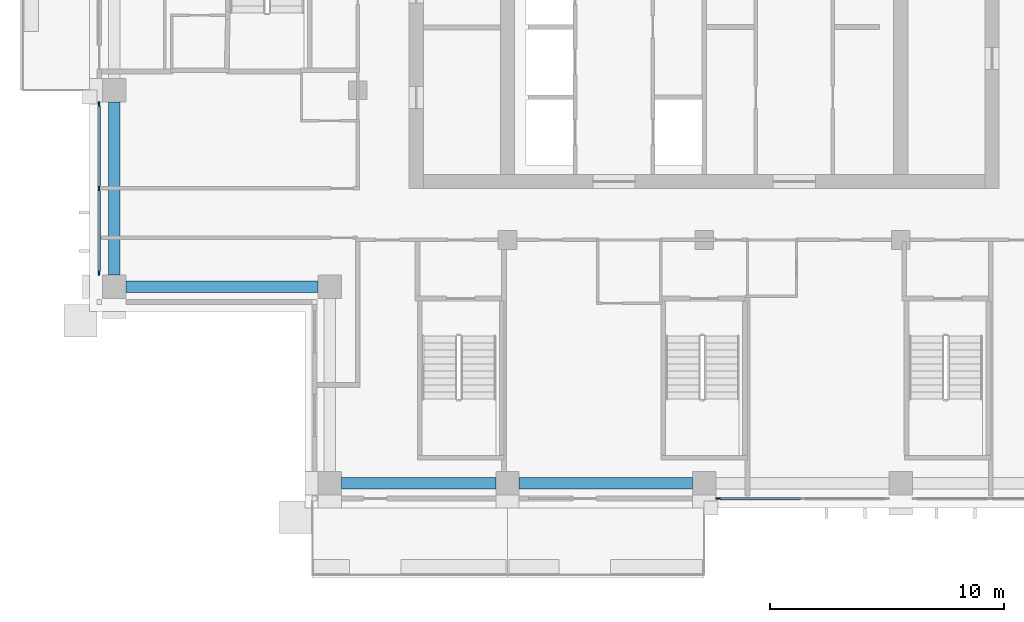
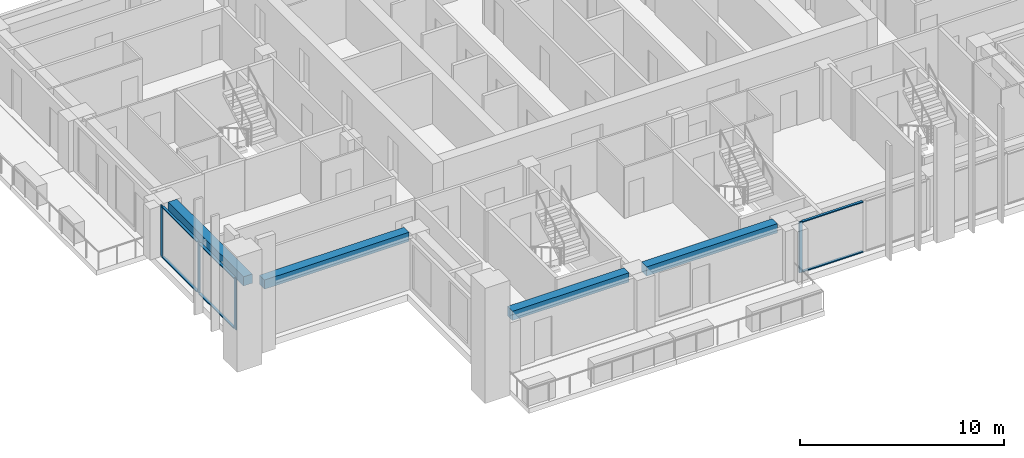
# One storey, part 2 of 17: 10 members, 4 beams, 2 elements without a shape of their own.
"""IFC4 building model written with IfcOpenShell, lengths in metres."""

from ifc_helpers import new_model, si_unit, direction, frame, origin, origin_2d, place, context, subcontext, project, spatial, rectangle, extrude, material, material_profile, profile_set, type_object, element, aggregate, save


model = new_model("IFC4")

# Units and contexts
model_context = context("Model", 3, precision=1e-05, world=origin(), true_north=direction((0.0, 1.0)))
body_context = subcontext(model_context, "Body", "Model", "MODEL_VIEW")
ifc_project = project(units=[si_unit("LENGTHUNIT", "METRE"), si_unit("AREAUNIT", "SQUARE_METRE"), si_unit("VOLUMEUNIT", "CUBIC_METRE"), si_unit("PLANEANGLEUNIT", "RADIAN"), si_unit("MASSUNIT", "GRAM", prefix="KILO")], contexts=[model_context])

# Site, building, storey
site_placement = place(None, origin())
site = spatial("IfcSite", under=ifc_project, at=site_placement, CompositionType="ELEMENT")
building_placement = place(site_placement, origin())
building = spatial("IfcBuilding", under=site, at=building_placement, Name="Vermilion Ogive Tower", CompositionType="ELEMENT")
storey_placement = place(building_placement, frame((0.0, 0.0, 192.800048828125)))
storey = spatial("IfcBuildingStorey", under=building, at=storey_placement, Name="L50", CompositionType="ELEMENT", Elevation=192.800048828125)

# Curtain wall, member
ifc_material_1 = material(Name="Low-iron laminated glazing in aluminium frame", Category="aluminium")
curtain_wall_type = type_object("IfcCurtainWallType", Name="Curtain wall CW7", PredefinedType="NOTDEFINED", material=ifc_material_1)
curtain_wall_1_placement = place(storey_placement, origin())
curtain_wall_1 = element("IfcCurtainWall", 1, at=curtain_wall_1_placement, inside=storey, type_object=curtain_wall_type, Name="Glazed skin S3", PredefinedType="NOTDEFINED")
ifc_material_2 = material(Name="Aluminium mullion", Category="aluminium")
ifc_material_profile_1 = material_profile(ifc_material_2, rectangle(XDim=0.06005859375, YDim=0.179931640625, at=origin_2d()), Name="AL 60x180")
ifc_profile_set_1 = profile_set([ifc_material_profile_1], Name="Aluminium mullion")
member_type_1 = type_object("IfcMemberType", Name="CW7 mullion 60x180", PredefinedType="MULLION", material=ifc_profile_set_1)
member_1_placement = place(storey_placement, frame((0.590087890625, -21.64990234375, 0.0), z_axis=(0.0, 0.0, 1.0), x_axis=(0.0, 1.0, 0.0)))
member_1 = element("IfcMember", 2, at=member_1_placement, type_object=member_type_1, Name="CW7-S3 mullion 1", PredefinedType="MULLION", context=body_context, shape_type="SweptSolid", body=[
    extrude(rectangle(XDim=0.06005859375, YDim=0.179931640625, at=origin_2d()), origin(), (0.0, 0.0, 1.0), 3.050048828125),
])

# Curtain wall, members
curtain_wall_2_placement = place(storey_placement, origin())
curtain_wall_2 = element("IfcCurtainWall", 3, at=curtain_wall_2_placement, inside=storey, type_object=curtain_wall_type, Name="Glazed skin W3", PredefinedType="NOTDEFINED")
member_2_placement = place(storey_placement, frame((-25.85009765625, -4.7900390625, 0.0), z_axis=(0.0, 0.0, 1.0), x_axis=(1.0, 0.0, 0.0)))
member_2 = element("IfcMember", 4, at=member_2_placement, type_object=member_type_1, Name="CW7-W3 mullion 1", PredefinedType="MULLION", context=body_context, shape_type="SweptSolid", body=[
    extrude(rectangle(XDim=0.06005859375, YDim=0.179931640625, at=origin_2d()), origin(), (0.0, 0.0, 1.0), 3.050048828125),
])
member_3_placement = place(storey_placement, frame((-25.85009765625, -8.39990234375, 0.0), z_axis=(0.0, 0.0, 1.0), x_axis=(1.0, 0.0, 0.0)))
member_3 = element("IfcMember", 5, at=member_3_placement, type_object=member_type_1, Name="CW7-W3 mullion 2", PredefinedType="MULLION", context=body_context, shape_type="SweptSolid", body=[
    extrude(rectangle(XDim=0.06005859375, YDim=0.179931640625, at=origin_2d()), origin(), (0.0, 0.0, 1.0), 3.050048828125),
])
member_4_placement = place(storey_placement, frame((-25.85009765625, -12.010009765625, 0.0), z_axis=(0.0, 0.0, 1.0), x_axis=(1.0, 0.0, 0.0)))
member_4 = element("IfcMember", 6, at=member_4_placement, type_object=member_type_1, Name="CW7-W3 mullion 3", PredefinedType="MULLION", context=body_context, shape_type="SweptSolid", body=[
    extrude(rectangle(XDim=0.06005859375, YDim=0.179931640625, at=origin_2d()), origin(), (0.0, 0.0, 1.0), 3.050048828125),
])

# Member
ifc_material_3 = material(Name="Aluminium transom", Category="aluminium")
ifc_material_profile_2 = material_profile(ifc_material_3, rectangle(XDim=0.139892578125, YDim=0.06005859375, at=origin_2d()), Name="AL 60x140")
ifc_profile_set_2 = profile_set([ifc_material_profile_2], Name="Aluminium transom")
member_type_2 = type_object("IfcMemberType", Name="CW7 transom 60x140", PredefinedType="USERDEFINED", material=ifc_profile_set_2)
member_5_placement = place(storey_placement, frame((0.679931640625, -21.64990234375, 0.030029296875), z_axis=(1.0, 0.0, 0.0), x_axis=(0.0, 1.0, 0.0)))
member_5 = element("IfcMember", 7, at=member_5_placement, type_object=member_type_2, Name="CW7-S3 transom 1.1", ObjectType="TRANSOM", PredefinedType="USERDEFINED", context=body_context, shape_type="SweptSolid", body=[
    extrude(rectangle(XDim=0.139892578125, YDim=0.06005859375, at=origin_2d()), origin(), (0.0, 0.0, 1.0), 3.43017578125),
])

member_6_placement = place(storey_placement, frame((0.679931640625, -21.64990234375, 3.02001953125), z_axis=(1.0, 0.0, 0.0), x_axis=(0.0, 1.0, 0.0)))
member_6 = element("IfcMember", 8, at=member_6_placement, type_object=member_type_2, Name="CW7-S3 transom 1.2", ObjectType="TRANSOM", PredefinedType="USERDEFINED", context=body_context, shape_type="SweptSolid", body=[
    extrude(rectangle(XDim=0.139892578125, YDim=0.06005859375, at=origin_2d()), origin(), (0.0, 0.0, 1.0), 3.43017578125),
])

aggregate(curtain_wall_1, [member_1, member_5, member_6])

member_7_placement = place(storey_placement, frame((-25.85009765625, -4.8798828125, 0.030029296875), z_axis=(0.0, -1.0, 0.0), x_axis=(1.0, 0.0, 0.0)))
member_7 = element("IfcMember", 9, at=member_7_placement, type_object=member_type_2, Name="CW7-W3 transom 1.1", ObjectType="TRANSOM", PredefinedType="USERDEFINED", context=body_context, shape_type="SweptSolid", body=[
    extrude(rectangle(XDim=0.139892578125, YDim=0.06005859375, at=origin_2d()), origin(), (0.0, 0.0, 1.0), 3.43017578125),
])

member_8_placement = place(storey_placement, frame((-25.85009765625, -4.8798828125, 3.02001953125), z_axis=(0.0, -1.0, 0.0), x_axis=(1.0, 0.0, 0.0)))
member_8 = element("IfcMember", 10, at=member_8_placement, type_object=member_type_2, Name="CW7-W3 transom 1.2", ObjectType="TRANSOM", PredefinedType="USERDEFINED", context=body_context, shape_type="SweptSolid", body=[
    extrude(rectangle(XDim=0.139892578125, YDim=0.06005859375, at=origin_2d()), origin(), (0.0, 0.0, 1.0), 3.43017578125),
])

member_9_placement = place(storey_placement, frame((-25.85009765625, -8.489990234375, 0.030029296875), z_axis=(0.0, -1.0, 0.0), x_axis=(1.0, 0.0, 0.0)))
member_9 = element("IfcMember", 11, at=member_9_placement, type_object=member_type_2, Name="CW7-W3 transom 2.1", ObjectType="TRANSOM", PredefinedType="USERDEFINED", context=body_context, shape_type="SweptSolid", body=[
    extrude(rectangle(XDim=0.139892578125, YDim=0.06005859375, at=origin_2d()), origin(), (0.0, 0.0, 1.0), 3.429931640625),
])

member_10_placement = place(storey_placement, frame((-25.85009765625, -8.489990234375, 3.02001953125), z_axis=(0.0, -1.0, 0.0), x_axis=(1.0, 0.0, 0.0)))
member_10 = element("IfcMember", 12, at=member_10_placement, type_object=member_type_2, Name="CW7-W3 transom 2.2", ObjectType="TRANSOM", PredefinedType="USERDEFINED", context=body_context, shape_type="SweptSolid", body=[
    extrude(rectangle(XDim=0.139892578125, YDim=0.06005859375, at=origin_2d()), origin(), (0.0, 0.0, 1.0), 3.429931640625),
])

aggregate(curtain_wall_2, [member_2, member_3, member_4, member_7, member_8, member_9, member_10])

# Beams
ifc_material_4 = material(Name="Concrete B45", Category="concrete")
ifc_material_profile_3 = material_profile(ifc_material_4, rectangle(XDim=0.5, YDim=0.550048828125, at=origin_2d()), Name="500 x 550")
ifc_profile_set_3 = profile_set([ifc_material_profile_3], Name="Concrete B45")
beam_type = type_object("IfcBeamType", Name="Edge beam 500 x 550 B45", PredefinedType="BEAM", material=ifc_profile_set_3)
beam_1_placement = place(storey_placement, frame((-15.5, -21.0, 2.77490234375), z_axis=(1.0, 0.0, 0.0), x_axis=(0.0, 1.0, 0.0)))
element("IfcBeam", 13, at=beam_1_placement, inside=storey, type_object=beam_type, Name="L50-EB-1", PredefinedType="BEAM", context=body_context, shape_type="SweptSolid", body=[
    extrude(rectangle(XDim=0.5, YDim=0.550048828125, at=origin_2d()), origin(), (0.0, 0.0, 1.0), 6.60009765625),
])
beam_2_placement = place(storey_placement, frame((-7.89990234375, -21.0, 2.77490234375), z_axis=(1.0, 0.0, 0.0), x_axis=(0.0, 1.0, 0.0)))
element("IfcBeam", 14, at=beam_2_placement, inside=storey, type_object=beam_type, Name="L50-EB-2", PredefinedType="BEAM", context=body_context, shape_type="SweptSolid", body=[
    extrude(rectangle(XDim=0.5, YDim=0.550048828125, at=origin_2d()), origin(), (0.0, 0.0, 1.0), 7.39990234375),
])
beam_3_placement = place(storey_placement, frame((-25.199951171875, -4.699951171875, 2.77490234375), z_axis=(0.0, -1.0, 0.0), x_axis=(1.0, 0.0, 0.0)))
element("IfcBeam", 15, at=beam_3_placement, inside=storey, type_object=beam_type, Name="L50-EB-16", PredefinedType="BEAM", context=body_context, shape_type="SweptSolid", body=[
    extrude(rectangle(XDim=0.5, YDim=0.550048828125, at=origin_2d()), origin(), (0.0, 0.0, 1.0), 7.400146484375),
])
beam_4_placement = place(storey_placement, frame((-24.699951171875, -12.60009765625, 2.77490234375), z_axis=(1.0, 0.0, 0.0), x_axis=(0.0, 1.0, 0.0)))
element("IfcBeam", 16, at=beam_4_placement, inside=storey, type_object=beam_type, Name="L50-EB-17", PredefinedType="BEAM", context=body_context, shape_type="SweptSolid", body=[
    extrude(rectangle(XDim=0.5, YDim=0.550048828125, at=origin_2d()), origin(), (0.0, 0.0, 1.0), 8.199951171875),
])

save(model, "model.ifc")
